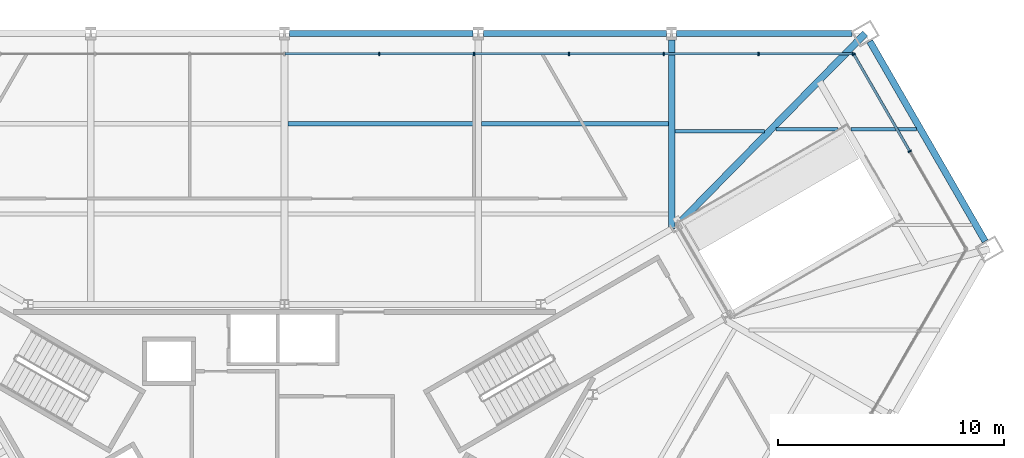
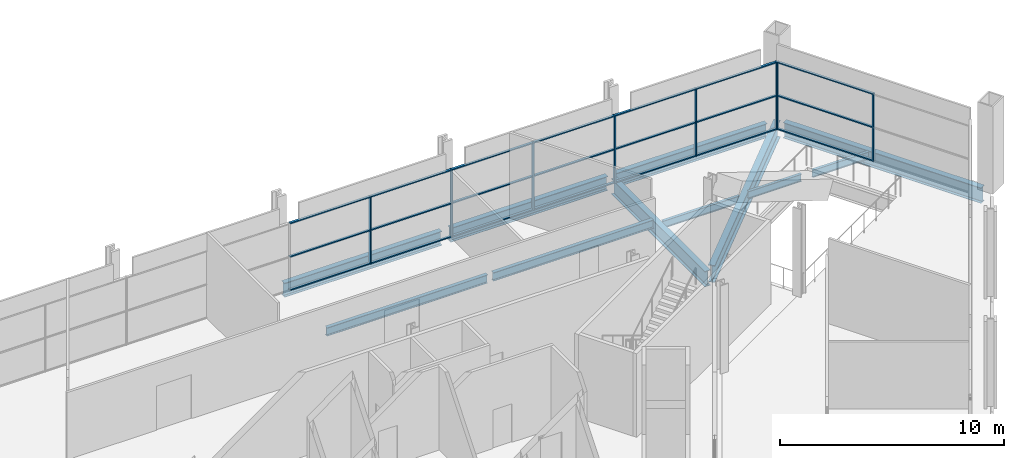
# One storey, part 10 of 18: 29 members, 11 beams, 2 elements without a shape of their own.
"""IFC4 building model written with IfcOpenShell, lengths in metres."""

from ifc_helpers import new_model, si_unit, direction, frame, origin, origin_2d, place, context, subcontext, project, spatial, rectangle, i_section, extrude, material, layer, layer_set, material_profile, profile_set, type_object, element, aggregate, save


model = new_model("IFC4")

# Units and contexts
model_context = context("Model", 3, precision=1e-05, world=origin(), true_north=direction((0.0, 1.0)))
body_context = subcontext(model_context, "Body", "Model", "MODEL_VIEW")
ifc_project = project(units=[si_unit("LENGTHUNIT", "METRE"), si_unit("AREAUNIT", "SQUARE_METRE"), si_unit("VOLUMEUNIT", "CUBIC_METRE"), si_unit("PLANEANGLEUNIT", "RADIAN"), si_unit("MASSUNIT", "GRAM", prefix="KILO")], contexts=[model_context])

# Site, building, storey
site_placement = place(None, origin())
site = spatial("IfcSite", under=ifc_project, at=site_placement, CompositionType="ELEMENT")
building_placement = place(site_placement, origin())
building = spatial("IfcBuilding", under=site, at=building_placement, Name="Verrane Prism Tower", CompositionType="ELEMENT")
storey_placement = place(building_placement, frame((0.0, 0.0, 27.199951171875)))
storey = spatial("IfcBuildingStorey", under=building, at=storey_placement, Name="L04", CompositionType="ELEMENT", Elevation=27.199951171875)

# Curtain wall, members
ifc_material_1 = material(Name="Aluminium and glass curtain wall", Category="aluminium")
ifc_layer = layer(ifc_material_1, 0.199951171875)
ifc_layer_set = layer_set([ifc_layer], Name="CWB-1 retail curtain wall")
curtain_wall_type = type_object("IfcCurtainWallType", Name="CWB-1 retail curtain wall", PredefinedType="NOTDEFINED", material=ifc_layer_set)
curtain_wall_1_placement = place(storey_placement, origin())
curtain_wall_1 = element("IfcCurtainWall", 1, at=curtain_wall_1_placement, inside=storey, type_object=curtain_wall_type, Name="Retail curtain wall L04 1", PredefinedType="NOTDEFINED")
ifc_material_2 = material(Name="Aluminium", Category="aluminium")
ifc_material_profile_1 = material_profile(ifc_material_2, rectangle(XDim=0.159912109375, YDim=0.06005859375, at=origin_2d()), Name="CWB-M 60x160 mullion")
ifc_profile_set_1 = profile_set([ifc_material_profile_1], Name="Aluminium")
member_type_1 = type_object("IfcMemberType", Name="CWB-M 60x160 mullion", PredefinedType="MULLION", material=ifc_profile_set_1)
member_1_placement = place(storey_placement, frame((27.63818359375, 15.956787109375, 0.0), z_axis=(0.0, 0.0, 1.0), x_axis=(-0.866025871, -0.499999190758, 0.0)))
member_1 = element("IfcMember", 2, at=member_1_placement, type_object=member_type_1, Name="CWB41 mullion 2", PredefinedType="MULLION", context=body_context, shape_type="SweptSolid", body=[
    extrude(rectangle(XDim=0.159912109375, YDim=0.06005859375, at=origin_2d()), origin(), (0.0, 0.0, 1.0), 3.68994140625),
])
member_2_placement = place(storey_placement, frame((25.162841796875, 20.244140625, 0.0), z_axis=(0.0, 0.0, 1.0), x_axis=(-0.866025871, -0.499999190758, 0.0)))
member_2 = element("IfcMember", 3, at=member_2_placement, type_object=member_type_1, Name="CWB41 mullion 3", PredefinedType="MULLION", context=body_context, shape_type="SweptSolid", body=[
    extrude(rectangle(XDim=0.159912109375, YDim=0.06005859375, at=origin_2d()), origin(), (0.0, 0.0, 1.0), 3.68994140625),
])

curtain_wall_2_placement = place(storey_placement, origin())
curtain_wall_2 = element("IfcCurtainWall", 4, at=curtain_wall_2_placement, inside=storey, type_object=curtain_wall_type, Name="Retail curtain wall L04 2", PredefinedType="NOTDEFINED")
member_3_placement = place(storey_placement, frame((25.117919921875, 20.27001953125, 0.0), z_axis=(0.0, 0.0, 1.0), x_axis=(0.0, -1.0, 0.0)))
member_3 = element("IfcMember", 5, at=member_3_placement, type_object=member_type_1, Name="CWB42 mullion 1", PredefinedType="MULLION", context=body_context, shape_type="SweptSolid", body=[
    extrude(rectangle(XDim=0.159912109375, YDim=0.06005859375, at=origin_2d()), origin(), (0.0, 0.0, 1.0), 3.68994140625),
])
member_4_placement = place(storey_placement, frame((20.95654296875, 20.27001953125, 0.0), z_axis=(0.0, 0.0, 1.0), x_axis=(0.0, -1.0, 0.0)))
member_4 = element("IfcMember", 6, at=member_4_placement, type_object=member_type_1, Name="CWB42 mullion 2", PredefinedType="MULLION", context=body_context, shape_type="SweptSolid", body=[
    extrude(rectangle(XDim=0.159912109375, YDim=0.06005859375, at=origin_2d()), origin(), (0.0, 0.0, 1.0), 3.68994140625),
])
member_5_placement = place(storey_placement, frame((16.76513671875, 20.27001953125, 0.0), z_axis=(0.0, 0.0, 1.0), x_axis=(0.0, -1.0, 0.0)))
member_5 = element("IfcMember", 7, at=member_5_placement, type_object=member_type_1, Name="CWB42 mullion 3", PredefinedType="MULLION", context=body_context, shape_type="SweptSolid", body=[
    extrude(rectangle(XDim=0.159912109375, YDim=0.06005859375, at=origin_2d()), origin(), (0.0, 0.0, 1.0), 3.68994140625),
])
member_6_placement = place(storey_placement, frame((12.573974609375, 20.27001953125, 0.0), z_axis=(0.0, 0.0, 1.0), x_axis=(0.0, -1.0, 0.0)))
member_6 = element("IfcMember", 8, at=member_6_placement, type_object=member_type_1, Name="CWB42 mullion 4", PredefinedType="MULLION", context=body_context, shape_type="SweptSolid", body=[
    extrude(rectangle(XDim=0.159912109375, YDim=0.06005859375, at=origin_2d()), origin(), (0.0, 0.0, 1.0), 3.68994140625),
])
member_7_placement = place(storey_placement, frame((8.382568359375, 20.27001953125, 0.0), z_axis=(0.0, 0.0, 1.0), x_axis=(0.0, -1.0, 0.0)))
member_7 = element("IfcMember", 9, at=member_7_placement, type_object=member_type_1, Name="CWB42 mullion 5", PredefinedType="MULLION", context=body_context, shape_type="SweptSolid", body=[
    extrude(rectangle(XDim=0.159912109375, YDim=0.06005859375, at=origin_2d()), origin(), (0.0, 0.0, 1.0), 3.68994140625),
])
member_8_placement = place(storey_placement, frame((4.19140625, 20.27001953125, 0.0), z_axis=(0.0, 0.0, 1.0), x_axis=(0.0, -1.0, 0.0)))
member_8 = element("IfcMember", 10, at=member_8_placement, type_object=member_type_1, Name="CWB42 mullion 6", PredefinedType="MULLION", context=body_context, shape_type="SweptSolid", body=[
    extrude(rectangle(XDim=0.159912109375, YDim=0.06005859375, at=origin_2d()), origin(), (0.0, 0.0, 1.0), 3.68994140625),
])

# Member
ifc_material_3 = material(Name="Aluminium", Category="aluminium")
ifc_material_profile_2 = material_profile(ifc_material_3, rectangle(XDim=0.1201171875, YDim=0.06005859375, at=origin_2d()), Name="CWB-T 60x120 transom")
ifc_profile_set_2 = profile_set([ifc_material_profile_2], Name="Aluminium")
member_type_2 = type_object("IfcMemberType", Name="CWB-T 60x120 transom", PredefinedType="USERDEFINED", material=ifc_profile_set_2)
member_9_placement = place(storey_placement, frame((27.623046875, 15.98291015625, 0.030029296875), z_axis=(-0.499988949793, 0.86603178353, 0.0), x_axis=(-0.86603178353, -0.499988949793, 0.0)))
member_9 = element("IfcMember", 11, at=member_9_placement, type_object=member_type_2, Name="CWB41 transom 2.1", ObjectType="TRANSOM", PredefinedType="USERDEFINED", context=body_context, shape_type="SweptSolid", body=[
    extrude(rectangle(XDim=0.1201171875, YDim=0.06005859375, at=origin_2d()), origin(), (0.0, 0.0, 1.0), 4.89013671875),
])

member_10_placement = place(storey_placement, frame((27.623046875, 15.98291015625, 1.844970703125), z_axis=(-0.499988949793, 0.86603178353, 0.0), x_axis=(-0.86603178353, -0.499988949793, 0.0)))
member_10 = element("IfcMember", 12, at=member_10_placement, type_object=member_type_2, Name="CWB41 transom 2.2", ObjectType="TRANSOM", PredefinedType="USERDEFINED", context=body_context, shape_type="SweptSolid", body=[
    extrude(rectangle(XDim=0.1201171875, YDim=0.06005859375, at=origin_2d()), origin(), (0.0, 0.0, 1.0), 4.89013671875),
])

member_11_placement = place(storey_placement, frame((27.623046875, 15.98291015625, 3.66015625), z_axis=(-0.499988949793, 0.86603178353, 0.0), x_axis=(-0.86603178353, -0.499988949793, 0.0)))
member_11 = element("IfcMember", 13, at=member_11_placement, type_object=member_type_2, Name="CWB41 transom 2.3", ObjectType="TRANSOM", PredefinedType="USERDEFINED", context=body_context, shape_type="SweptSolid", body=[
    extrude(rectangle(XDim=0.1201171875, YDim=0.06005859375, at=origin_2d()), origin(), (0.0, 0.0, 1.0), 4.89013671875),
])

aggregate(curtain_wall_1, [member_1, member_2, member_9, member_10, member_11])

member_12_placement = place(storey_placement, frame((25.087890625, 20.27001953125, 0.030029296875), z_axis=(-1.0, 0.0, 0.0), x_axis=(0.0, -1.0, 0.0)))
member_12 = element("IfcMember", 14, at=member_12_placement, type_object=member_type_2, Name="CWB42 transom 1.1", ObjectType="TRANSOM", PredefinedType="USERDEFINED", context=body_context, shape_type="SweptSolid", body=[
    extrude(rectangle(XDim=0.1201171875, YDim=0.06005859375, at=origin_2d()), origin(), (0.0, 0.0, 1.0), 4.101318359375),
])

member_13_placement = place(storey_placement, frame((25.087890625, 20.27001953125, 1.844970703125), z_axis=(-1.0, 0.0, 0.0), x_axis=(0.0, -1.0, 0.0)))
member_13 = element("IfcMember", 15, at=member_13_placement, type_object=member_type_2, Name="CWB42 transom 1.2", ObjectType="TRANSOM", PredefinedType="USERDEFINED", context=body_context, shape_type="SweptSolid", body=[
    extrude(rectangle(XDim=0.1201171875, YDim=0.06005859375, at=origin_2d()), origin(), (0.0, 0.0, 1.0), 4.101318359375),
])

member_14_placement = place(storey_placement, frame((25.087890625, 20.27001953125, 3.66015625), z_axis=(-1.0, 0.0, 0.0), x_axis=(0.0, -1.0, 0.0)))
member_14 = element("IfcMember", 16, at=member_14_placement, type_object=member_type_2, Name="CWB42 transom 1.3", ObjectType="TRANSOM", PredefinedType="USERDEFINED", context=body_context, shape_type="SweptSolid", body=[
    extrude(rectangle(XDim=0.1201171875, YDim=0.06005859375, at=origin_2d()), origin(), (0.0, 0.0, 1.0), 4.101318359375),
])

member_15_placement = place(storey_placement, frame((20.926513671875, 20.27001953125, 0.030029296875), z_axis=(-1.0, 0.0, 0.0), x_axis=(0.0, -1.0, 0.0)))
member_15 = element("IfcMember", 17, at=member_15_placement, type_object=member_type_2, Name="CWB42 transom 2.1", ObjectType="TRANSOM", PredefinedType="USERDEFINED", context=body_context, shape_type="SweptSolid", body=[
    extrude(rectangle(XDim=0.1201171875, YDim=0.06005859375, at=origin_2d()), origin(), (0.0, 0.0, 1.0), 4.13134765625),
])

member_16_placement = place(storey_placement, frame((20.926513671875, 20.27001953125, 1.844970703125), z_axis=(-1.0, 0.0, 0.0), x_axis=(0.0, -1.0, 0.0)))
member_16 = element("IfcMember", 18, at=member_16_placement, type_object=member_type_2, Name="CWB42 transom 2.2", ObjectType="TRANSOM", PredefinedType="USERDEFINED", context=body_context, shape_type="SweptSolid", body=[
    extrude(rectangle(XDim=0.1201171875, YDim=0.06005859375, at=origin_2d()), origin(), (0.0, 0.0, 1.0), 4.13134765625),
])

member_17_placement = place(storey_placement, frame((20.926513671875, 20.27001953125, 3.66015625), z_axis=(-1.0, 0.0, 0.0), x_axis=(0.0, -1.0, 0.0)))
member_17 = element("IfcMember", 19, at=member_17_placement, type_object=member_type_2, Name="CWB42 transom 2.3", ObjectType="TRANSOM", PredefinedType="USERDEFINED", context=body_context, shape_type="SweptSolid", body=[
    extrude(rectangle(XDim=0.1201171875, YDim=0.06005859375, at=origin_2d()), origin(), (0.0, 0.0, 1.0), 4.13134765625),
])

member_18_placement = place(storey_placement, frame((16.7353515625, 20.27001953125, 0.030029296875), z_axis=(-1.0, 0.0, 0.0), x_axis=(0.0, -1.0, 0.0)))
member_18 = element("IfcMember", 20, at=member_18_placement, type_object=member_type_2, Name="CWB42 transom 3.1", ObjectType="TRANSOM", PredefinedType="USERDEFINED", context=body_context, shape_type="SweptSolid", body=[
    extrude(rectangle(XDim=0.1201171875, YDim=0.06005859375, at=origin_2d()), origin(), (0.0, 0.0, 1.0), 4.13134765625),
])

member_19_placement = place(storey_placement, frame((16.7353515625, 20.27001953125, 1.844970703125), z_axis=(-1.0, 0.0, 0.0), x_axis=(0.0, -1.0, 0.0)))
member_19 = element("IfcMember", 21, at=member_19_placement, type_object=member_type_2, Name="CWB42 transom 3.2", ObjectType="TRANSOM", PredefinedType="USERDEFINED", context=body_context, shape_type="SweptSolid", body=[
    extrude(rectangle(XDim=0.1201171875, YDim=0.06005859375, at=origin_2d()), origin(), (0.0, 0.0, 1.0), 4.13134765625),
])

member_20_placement = place(storey_placement, frame((16.7353515625, 20.27001953125, 3.66015625), z_axis=(-1.0, 0.0, 0.0), x_axis=(0.0, -1.0, 0.0)))
member_20 = element("IfcMember", 22, at=member_20_placement, type_object=member_type_2, Name="CWB42 transom 3.3", ObjectType="TRANSOM", PredefinedType="USERDEFINED", context=body_context, shape_type="SweptSolid", body=[
    extrude(rectangle(XDim=0.1201171875, YDim=0.06005859375, at=origin_2d()), origin(), (0.0, 0.0, 1.0), 4.13134765625),
])

member_21_placement = place(storey_placement, frame((12.5439453125, 20.27001953125, 0.030029296875), z_axis=(-1.0, 0.0, 0.0), x_axis=(0.0, -1.0, 0.0)))
member_21 = element("IfcMember", 23, at=member_21_placement, type_object=member_type_2, Name="CWB42 transom 4.1", ObjectType="TRANSOM", PredefinedType="USERDEFINED", context=body_context, shape_type="SweptSolid", body=[
    extrude(rectangle(XDim=0.1201171875, YDim=0.06005859375, at=origin_2d()), origin(), (0.0, 0.0, 1.0), 4.13134765625),
])

member_22_placement = place(storey_placement, frame((12.5439453125, 20.27001953125, 1.844970703125), z_axis=(-1.0, 0.0, 0.0), x_axis=(0.0, -1.0, 0.0)))
member_22 = element("IfcMember", 24, at=member_22_placement, type_object=member_type_2, Name="CWB42 transom 4.2", ObjectType="TRANSOM", PredefinedType="USERDEFINED", context=body_context, shape_type="SweptSolid", body=[
    extrude(rectangle(XDim=0.1201171875, YDim=0.06005859375, at=origin_2d()), origin(), (0.0, 0.0, 1.0), 4.13134765625),
])

member_23_placement = place(storey_placement, frame((12.5439453125, 20.27001953125, 3.66015625), z_axis=(-1.0, 0.0, 0.0), x_axis=(0.0, -1.0, 0.0)))
member_23 = element("IfcMember", 25, at=member_23_placement, type_object=member_type_2, Name="CWB42 transom 4.3", ObjectType="TRANSOM", PredefinedType="USERDEFINED", context=body_context, shape_type="SweptSolid", body=[
    extrude(rectangle(XDim=0.1201171875, YDim=0.06005859375, at=origin_2d()), origin(), (0.0, 0.0, 1.0), 4.13134765625),
])

member_24_placement = place(storey_placement, frame((8.3525390625, 20.27001953125, 0.030029296875), z_axis=(-1.0, 0.0, 0.0), x_axis=(0.0, -1.0, 0.0)))
member_24 = element("IfcMember", 26, at=member_24_placement, type_object=member_type_2, Name="CWB42 transom 5.1", ObjectType="TRANSOM", PredefinedType="USERDEFINED", context=body_context, shape_type="SweptSolid", body=[
    extrude(rectangle(XDim=0.1201171875, YDim=0.06005859375, at=origin_2d()), origin(), (0.0, 0.0, 1.0), 4.131103515625),
])

member_25_placement = place(storey_placement, frame((8.3525390625, 20.27001953125, 1.844970703125), z_axis=(-1.0, 0.0, 0.0), x_axis=(0.0, -1.0, 0.0)))
member_25 = element("IfcMember", 27, at=member_25_placement, type_object=member_type_2, Name="CWB42 transom 5.2", ObjectType="TRANSOM", PredefinedType="USERDEFINED", context=body_context, shape_type="SweptSolid", body=[
    extrude(rectangle(XDim=0.1201171875, YDim=0.06005859375, at=origin_2d()), origin(), (0.0, 0.0, 1.0), 4.131103515625),
])

member_26_placement = place(storey_placement, frame((8.3525390625, 20.27001953125, 3.66015625), z_axis=(-1.0, 0.0, 0.0), x_axis=(0.0, -1.0, 0.0)))
member_26 = element("IfcMember", 28, at=member_26_placement, type_object=member_type_2, Name="CWB42 transom 5.3", ObjectType="TRANSOM", PredefinedType="USERDEFINED", context=body_context, shape_type="SweptSolid", body=[
    extrude(rectangle(XDim=0.1201171875, YDim=0.06005859375, at=origin_2d()), origin(), (0.0, 0.0, 1.0), 4.131103515625),
])

member_27_placement = place(storey_placement, frame((4.161376953125, 20.27001953125, 0.030029296875), z_axis=(-1.0, 0.0, 0.0), x_axis=(0.0, -1.0, 0.0)))
member_27 = element("IfcMember", 29, at=member_27_placement, type_object=member_type_2, Name="CWB42 transom 6.1", ObjectType="TRANSOM", PredefinedType="USERDEFINED", context=body_context, shape_type="SweptSolid", body=[
    extrude(rectangle(XDim=0.1201171875, YDim=0.06005859375, at=origin_2d()), origin(), (0.0, 0.0, 1.0), 4.13134765625),
])

member_28_placement = place(storey_placement, frame((4.161376953125, 20.27001953125, 1.844970703125), z_axis=(-1.0, 0.0, 0.0), x_axis=(0.0, -1.0, 0.0)))
member_28 = element("IfcMember", 30, at=member_28_placement, type_object=member_type_2, Name="CWB42 transom 6.2", ObjectType="TRANSOM", PredefinedType="USERDEFINED", context=body_context, shape_type="SweptSolid", body=[
    extrude(rectangle(XDim=0.1201171875, YDim=0.06005859375, at=origin_2d()), origin(), (0.0, 0.0, 1.0), 4.13134765625),
])

member_29_placement = place(storey_placement, frame((4.161376953125, 20.27001953125, 3.66015625), z_axis=(-1.0, 0.0, 0.0), x_axis=(0.0, -1.0, 0.0)))
member_29 = element("IfcMember", 31, at=member_29_placement, type_object=member_type_2, Name="CWB42 transom 6.3", ObjectType="TRANSOM", PredefinedType="USERDEFINED", context=body_context, shape_type="SweptSolid", body=[
    extrude(rectangle(XDim=0.1201171875, YDim=0.06005859375, at=origin_2d()), origin(), (0.0, 0.0, 1.0), 4.13134765625),
])

aggregate(curtain_wall_2, [member_3, member_4, member_5, member_6, member_7, member_8, member_12, member_13, member_14, member_15, member_16, member_17, member_18, member_19, member_20, member_21, member_22, member_23, member_24, member_25, member_26, member_27, member_28, member_29])

# Beams
ifc_material_4 = material(Name="Steel A992", Category="steel")
ifc_material_profile_3 = material_profile(ifc_material_4, i_section(OverallWidth=0.2919921875, OverallDepth=0.845703125, WebThickness=0.015380859375, FlangeThickness=0.0244140625, FilletRadius=0.017822265625, at=origin_2d()), Name="W33x141")
ifc_profile_set_3 = profile_set([ifc_material_profile_3], Name="Steel A992")
beam_type_1 = type_object("IfcBeamType", Name="Chamfer spandrel beam W33x141", PredefinedType="SPANDREL", material=ifc_profile_set_3)
beam_1_placement = place(storey_placement, frame((30.97021484375, 11.986328125, -0.582763671875), z_axis=(-0.49986813558, 0.866101522359, 0.0), x_axis=(-0.866101522359, -0.49986813558, 0.0)))
element("IfcBeam", 32, at=beam_1_placement, inside=storey, type_object=beam_type_1, Name="Chamfer spandrel beam L04", PredefinedType="SPANDREL", context=body_context, shape_type="SweptSolid", body=[
    extrude(i_section(OverallWidth=0.2919921875, OverallDepth=0.845703125, WebThickness=0.015380859375, FlangeThickness=0.0244140625, FilletRadius=0.017822265625, at=origin_2d()), origin(), (0.0, 0.0, 1.0), 10.203369140625),
])
ifc_material_5 = material(Name="Steel A992", Category="steel")
ifc_material_profile_4 = material_profile(ifc_material_5, i_section(OverallWidth=0.307373046875, OverallDepth=0.927001953125, WebThickness=0.01953125, FlangeThickness=0.031982421875, FilletRadius=0.01904296875, at=origin_2d()), Name="W36x194")
ifc_profile_set_4 = profile_set([ifc_material_profile_4], Name="Steel A992")
beam_type_2 = type_object("IfcBeamType", Name="Corner girder W36x194", PredefinedType="BEAM", material=ifc_profile_set_4)
beam_2_placement = place(storey_placement, frame((25.66845703125, 21.16845703125, -0.68359375), z_axis=(-0.700377975453, -0.713772156574, 0.0), x_axis=(0.713772156574, -0.700377975453, 0.0)))
element("IfcBeam", 33, at=beam_2_placement, inside=storey, type_object=beam_type_2, Name="Corner girder L04", PredefinedType="BEAM", context=body_context, shape_type="SweptSolid", body=[
    extrude(i_section(OverallWidth=0.307373046875, OverallDepth=0.927001953125, WebThickness=0.01953125, FlangeThickness=0.031982421875, FilletRadius=0.01904296875, at=origin_2d()), origin(), (0.0, 0.0, 1.0), 11.701904296875),
])
ifc_material_6 = material(Name="Steel A992", Category="steel")
ifc_material_profile_5 = material_profile(ifc_material_6, i_section(OverallWidth=0.140380859375, OverallDepth=0.40380859375, WebThickness=0.007080078125, FlangeThickness=0.01123046875, FilletRadius=0.01025390625, at=origin_2d()), Name="W16x31")
ifc_profile_set_5 = profile_set([ifc_material_profile_5], Name="Steel A992")
beam_type_3 = type_object("IfcBeamType", Name="Floor beam W16x31", PredefinedType="BEAM", material=ifc_profile_set_5)
beam_3_placement = place(storey_placement, frame((17.256103515625, 16.85009765625, -0.36181640625), z_axis=(1.0, 0.0, 0.0), x_axis=(0.0, 1.0, 0.0)))
element("IfcBeam", 34, at=beam_3_placement, inside=storey, type_object=beam_type_3, Name="Floor beam L04", PredefinedType="BEAM", context=body_context, shape_type="SweptSolid", body=[
    extrude(i_section(OverallWidth=0.140380859375, OverallDepth=0.40380859375, WebThickness=0.007080078125, FlangeThickness=0.01123046875, FilletRadius=0.01025390625, at=origin_2d()), origin(), (0.0, 0.0, 1.0), 3.961181640625),
])
beam_4_placement = place(storey_placement, frame((21.730712890625, 16.93505859375, -0.36181640625), z_axis=(1.0, 0.0, 0.0), x_axis=(0.0, 1.0, 0.0)))
element("IfcBeam", 35, at=beam_4_placement, inside=storey, type_object=beam_type_3, Name="Floor beam L04", PredefinedType="BEAM", context=body_context, shape_type="SweptSolid", body=[
    extrude(i_section(OverallWidth=0.140380859375, OverallDepth=0.40380859375, WebThickness=0.007080078125, FlangeThickness=0.01123046875, FilletRadius=0.01025390625, at=origin_2d()), origin(), (0.0, 0.0, 1.0), 2.73681640625),
])
beam_5_placement = place(storey_placement, frame((25.030517578125, 16.93505859375, -0.36181640625), z_axis=(1.0, 0.0, 0.0), x_axis=(0.0, 1.0, 0.0)))
element("IfcBeam", 36, at=beam_5_placement, inside=storey, type_object=beam_type_3, Name="Floor beam L04", PredefinedType="BEAM", context=body_context, shape_type="SweptSolid", body=[
    extrude(i_section(OverallWidth=0.140380859375, OverallDepth=0.40380859375, WebThickness=0.007080078125, FlangeThickness=0.01123046875, FilletRadius=0.01025390625, at=origin_2d()), origin(), (0.0, 0.0, 1.0), 2.9150390625),
])
ifc_material_7 = material(Name="Steel A992", Category="steel")
ifc_material_profile_6 = material_profile(ifc_material_7, i_section(OverallWidth=0.1904296875, OverallDepth=0.457275390625, WebThickness=0.009033203125, FlangeThickness=0.014404296875, FilletRadius=0.01025390625, at=origin_2d()), Name="W18x50")
ifc_profile_set_6 = profile_set([ifc_material_profile_6], Name="Steel A992")
beam_type_4 = type_object("IfcBeamType", Name="Floor beam W18x50", PredefinedType="BEAM", material=ifc_profile_set_6)
beam_6_placement = place(storey_placement, frame((8.7060546875, 17.179931640625, -0.388671875), z_axis=(1.0, 0.0, 0.0), x_axis=(0.0, 1.0, 0.0)))
element("IfcBeam", 37, at=beam_6_placement, inside=storey, type_object=beam_type_4, Name="Floor beam L04", PredefinedType="BEAM", context=body_context, shape_type="SweptSolid", body=[
    extrude(i_section(OverallWidth=0.1904296875, OverallDepth=0.457275390625, WebThickness=0.009033203125, FlangeThickness=0.014404296875, FilletRadius=0.01025390625, at=origin_2d()), origin(), (0.0, 0.0, 1.0), 8.258056640625),
])
beam_7_placement = place(storey_placement, frame((0.14599609375, 17.179931640625, -0.388671875), z_axis=(1.0, 0.0, 0.0), x_axis=(0.0, 1.0, 0.0)))
element("IfcBeam", 38, at=beam_7_placement, inside=storey, type_object=beam_type_4, Name="Floor beam L04", PredefinedType="BEAM", context=body_context, shape_type="SweptSolid", body=[
    extrude(i_section(OverallWidth=0.1904296875, OverallDepth=0.457275390625, WebThickness=0.009033203125, FlangeThickness=0.014404296875, FilletRadius=0.01025390625, at=origin_2d()), origin(), (0.0, 0.0, 1.0), 8.26806640625),
])
ifc_material_8 = material(Name="Steel A992", Category="steel")
ifc_material_profile_7 = material_profile(ifc_material_8, i_section(OverallWidth=0.2919921875, OverallDepth=0.845703125, WebThickness=0.015380859375, FlangeThickness=0.0244140625, FilletRadius=0.017822265625, at=origin_2d()), Name="W33x141")
ifc_profile_set_7 = profile_set([ifc_material_profile_7], Name="Steel A992")
beam_type_5 = type_object("IfcBeamType", Name="Radial girder W33x141", PredefinedType="BEAM", material=ifc_profile_set_7)
beam_8_placement = place(storey_placement, frame((17.110107421875, 20.885498046875, -0.642822265625), z_axis=(0.0, -1.0, 0.0), x_axis=(1.0, 0.0, 0.0)))
element("IfcBeam", 39, at=beam_8_placement, inside=storey, type_object=beam_type_5, Name="Radial girder L04", PredefinedType="BEAM", context=body_context, shape_type="SweptSolid", body=[
    extrude(i_section(OverallWidth=0.2919921875, OverallDepth=0.845703125, WebThickness=0.015380859375, FlangeThickness=0.0244140625, FilletRadius=0.017822265625, at=origin_2d()), origin(), (0.0, 0.0, 1.0), 8.35498046875),
])
ifc_material_9 = material(Name="Steel A992", Category="steel")
ifc_material_profile_8 = material_profile(ifc_material_9, i_section(OverallWidth=0.2666015625, OverallDepth=0.76708984375, WebThickness=0.014892578125, FlangeThickness=0.023681640625, FilletRadius=0.0166015625, at=origin_2d()), Name="W30x124")
ifc_profile_set_8 = profile_set([ifc_material_profile_8], Name="Steel A992")
beam_type_6 = type_object("IfcBeamType", Name="Spandrel beam W30x124", PredefinedType="SPANDREL", material=ifc_profile_set_8)
beam_9_placement = place(storey_placement, frame((25.092529296875, 21.169921875, -0.54345703125), z_axis=(-1.0, 0.0, 0.0), x_axis=(0.0, -1.0, 0.0)))
element("IfcBeam", 40, at=beam_9_placement, inside=storey, type_object=beam_type_6, Name="Spandrel beam L04", PredefinedType="SPANDREL", context=body_context, shape_type="SweptSolid", body=[
    extrude(i_section(OverallWidth=0.2666015625, OverallDepth=0.76708984375, WebThickness=0.014892578125, FlangeThickness=0.023681640625, FilletRadius=0.0166015625, at=origin_2d()), origin(), (0.0, 0.0, 1.0), 7.755126953125),
])
beam_10_placement = place(storey_placement, frame((16.8828125, 21.169921875, -0.54345703125), z_axis=(-1.0, 0.0, 0.0), x_axis=(0.0, -1.0, 0.0)))
element("IfcBeam", 41, at=beam_10_placement, inside=storey, type_object=beam_type_6, Name="Spandrel beam L04", PredefinedType="SPANDREL", context=body_context, shape_type="SweptSolid", body=[
    extrude(i_section(OverallWidth=0.2666015625, OverallDepth=0.76708984375, WebThickness=0.014892578125, FlangeThickness=0.023681640625, FilletRadius=0.0166015625, at=origin_2d()), origin(), (0.0, 0.0, 1.0), 8.095458984375),
])
beam_11_placement = place(storey_placement, frame((8.332763671875, 21.169921875, -0.54345703125), z_axis=(-1.0, 0.0, 0.0), x_axis=(0.0, -1.0, 0.0)))
element("IfcBeam", 42, at=beam_11_placement, inside=storey, type_object=beam_type_6, Name="Spandrel beam L04", PredefinedType="SPANDREL", context=body_context, shape_type="SweptSolid", body=[
    extrude(i_section(OverallWidth=0.2666015625, OverallDepth=0.76708984375, WebThickness=0.014892578125, FlangeThickness=0.023681640625, FilletRadius=0.0166015625, at=origin_2d()), origin(), (0.0, 0.0, 1.0), 8.10546875),
])

save(model, "model.ifc")
